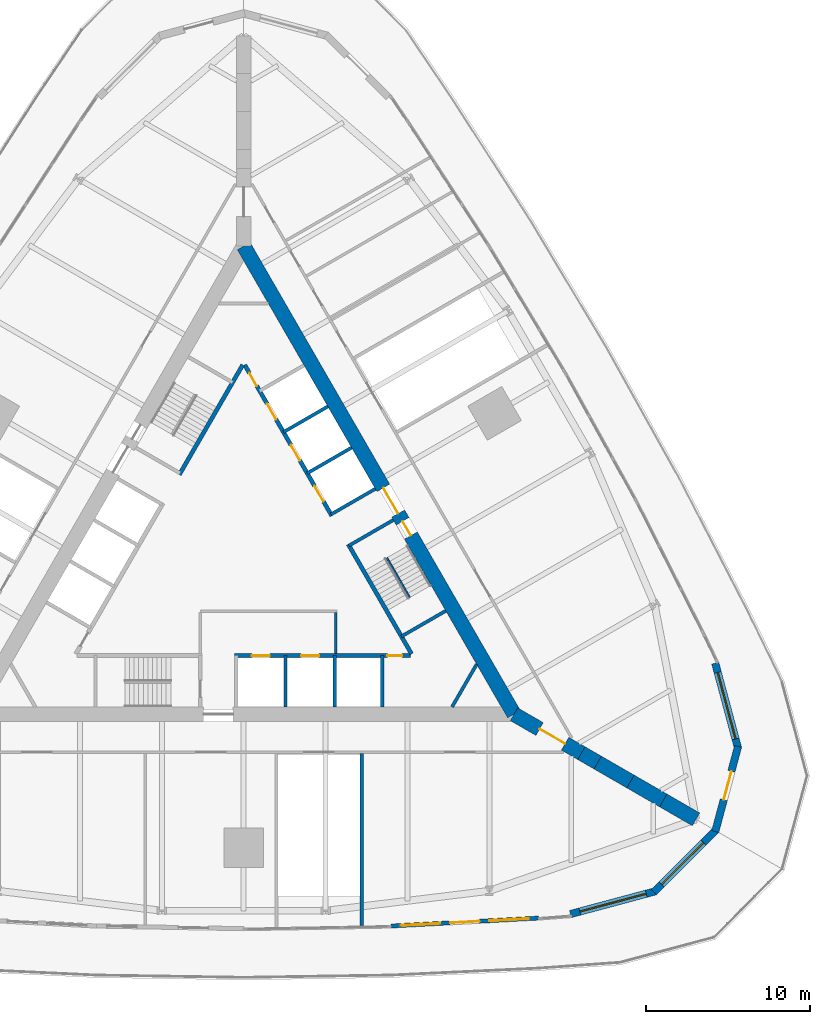
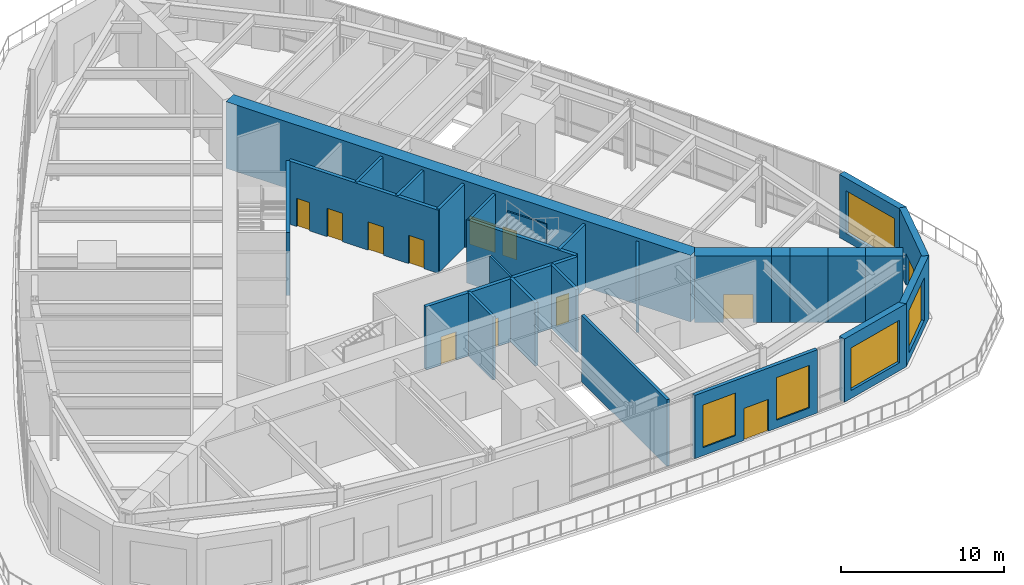
# One storey, part 9 of 13: 27 walls, 12 doors, 5 windows, 17 openings.
"""IFC4 building model written with IfcOpenShell, lengths in metres."""

import ifcopenshell
import ifcopenshell.guid

model = None  # the IFC model being written
_history = None  # IfcOwnerHistory: only IFC2X3 demands one
_inside = {}  # id of a spatial element -> (the spatial element, [elements in it])
_under = {}  # id of a project, library or spatial element -> (it, [spatial elements below it])
_declared = {}  # id of a project -> (the project, [libraries it declares])
_typed = {}  # id of a type object -> (the type object, [elements of that type])
_made_of = {}  # id of a material, layer set ... -> (it, [elements and type objects made of it])


def new_model(schema):
    """Start an empty IFC model of exactly this schema.

    Asked for "IFC4X3", IfcOpenShell would pick the latest addendum, in which some entities
    have other attributes; the version numbers below select the first issue.
    IFC2X3 requires an IfcOwnerHistory on every rooted entity: one is made here for all.
    """
    global model, _history
    if schema == "IFC4X3":
        model = ifcopenshell.file(schema_version=(4, 3, 0, 0))
    else:
        model = ifcopenshell.file(schema=schema)
    _inside.clear()
    _under.clear()
    _declared.clear()
    _typed.clear()
    _made_of.clear()
    _history = None
    if model.schema == "IFC2X3":
        org = make("IfcOrganization", Name="unknown")
        user = make(
            "IfcPersonAndOrganization",
            ThePerson=make("IfcPerson", FamilyName="unknown"),
            TheOrganization=org,
        )
        app = make(
            "IfcApplication",
            ApplicationDeveloper=org,
            Version="unknown",
            ApplicationFullName="unknown",
            ApplicationIdentifier="unknown",
        )
        _history = make(
            "IfcOwnerHistory",
            OwningUser=user,
            OwningApplication=app,
            ChangeAction="ADDED",
            CreationDate=0,
        )
    return model


def make(cls, **values):
    """One entity of the class cls with the attributes given. An attribute that is None is left unset."""
    return model.create_entity(
        cls, **{name: value for name, value in values.items() if value is not None}
    )


def rooted(cls, **values):
    """An entity with a GlobalId (a new one), such as an element, a storey or a relation."""
    return make(cls, GlobalId=ifcopenshell.guid.new(), OwnerHistory=_history, **values)


def si_unit(unit_type, name, prefix=None):
    """IfcSIUnit, for example si_unit("LENGTHUNIT", "METRE", prefix="MILLI")."""
    return make("IfcSIUnit", UnitType=unit_type, Prefix=prefix, Name=name)


def assignment(units):
    """IfcUnitAssignment: the units of a project."""
    return None if units is None else make("IfcUnitAssignment", Units=units)


def point(xyz):
    """IfcCartesianPoint."""
    return None if xyz is None else make("IfcCartesianPoint", Coordinates=xyz)


def direction(xyz):
    """IfcDirection."""
    return None if xyz is None else make("IfcDirection", DirectionRatios=xyz)


def frame(location, z_axis=None, x_axis=None):
    """IfcAxis2Placement3D, a coordinate frame: its origin and axes. An axis left out is left unset."""
    return make(
        "IfcAxis2Placement3D",
        Location=point(location),
        Axis=direction(z_axis),
        RefDirection=direction(x_axis),
    )


def frame_2d(location, x_axis=None):
    """IfcAxis2Placement2D, a coordinate frame in the plane: its origin and x axis."""
    return make(
        "IfcAxis2Placement2D", Location=point(location), RefDirection=direction(x_axis)
    )


def origin():
    """The frame at (0, 0, 0) with its axes left unset."""
    return frame((0.0, 0.0, 0.0))


def place(relative_to, where):
    """IfcLocalPlacement: puts the frame where relative to a parent placement (None: the world)."""
    return make(
        "IfcLocalPlacement", PlacementRelTo=relative_to, RelativePlacement=where
    )


def context(
    kind, dimensions, precision=None, world=None, true_north=None, identifier=None
):
    """IfcGeometricRepresentationContext, for example the 3D "Model" context."""
    return make(
        "IfcGeometricRepresentationContext",
        ContextIdentifier=identifier,
        ContextType=kind,
        CoordinateSpaceDimension=dimensions,
        Precision=precision,
        WorldCoordinateSystem=world,
        TrueNorth=true_north,
    )


def subcontext(parent, identifier, kind, view, scale=None):
    """IfcGeometricRepresentationSubContext, for example "Body" below "Model"."""
    return make(
        "IfcGeometricRepresentationSubContext",
        ContextIdentifier=identifier,
        ContextType=kind,
        ParentContext=parent,
        TargetScale=scale,
        TargetView=view,
    )


def project(units=None, contexts=None):
    """IfcProject with its units and contexts."""
    return rooted(
        "IfcProject",
        Name="project",
        RepresentationContexts=contexts,
        UnitsInContext=assignment(units),
    )


def spatial(cls, under=None, at=None, **own):
    """A site, building, storey or space (cls), placed at a placement, below another one or the project."""
    s = rooted(cls, ObjectPlacement=at, **own)
    if under is not None:
        _under.setdefault(under.id(), (under, []))[1].append(s)
    return s


def profile(cls, at=None, kind="AREA", **sizes):
    """A parametric profile (cls). Its sizes go by their IFC names, for example OverallWidth=200.0."""
    return make(cls, ProfileType=kind, Position=at, **sizes)


def rectangle(**sizes):
    """IfcRectangleProfileDef."""
    return profile("IfcRectangleProfileDef", **sizes)


def extrude(swept, where, along, depth):
    """IfcExtrudedAreaSolid: the profile swept, set in the frame where, extruded along a direction by depth."""
    return make(
        "IfcExtrudedAreaSolid",
        SweptArea=swept,
        Position=where,
        ExtrudedDirection=direction(along),
        Depth=depth,
    )


def shape(context_of_items, identifier, shape_type, items):
    """IfcShapeRepresentation: the items that make up one representation, for example the "Body"."""
    return make(
        "IfcShapeRepresentation",
        ContextOfItems=context_of_items,
        RepresentationIdentifier=identifier,
        RepresentationType=shape_type,
        Items=items,
    )


def material(Name=None, Category=None):
    """IfcMaterial."""
    return make("IfcMaterial", Name=Name, Category=Category)


def layer(
    of_material, thickness, ventilated=None, Name=None, Category=None, Priority=None
):
    """IfcMaterialLayer: one layer of a wall or slab, of a material (None: an air gap)."""
    return make(
        "IfcMaterialLayer",
        Material=of_material,
        LayerThickness=thickness,
        IsVentilated=ventilated,
        Name=Name,
        Category=Category,
        Priority=Priority,
    )


def layer_set(layers, Name=None):
    """IfcMaterialLayerSet."""
    return make("IfcMaterialLayerSet", MaterialLayers=layers, LayerSetName=Name)


def made_of(thing, what):
    """Note that an element or type object is made of a material, layer set ...; save() writes the relation."""
    if what is not None:
        _made_of.setdefault(what.id(), (what, []))[1].append(thing)
    return thing


def type_object(cls, material=None, **own):
    """A type object (cls), such as IfcWallType, which elements share."""
    return made_of(rooted(cls, **own), material)


def element(
    cls,
    number,
    at=None,
    inside=None,
    cuts=None,
    type_object=None,
    material=None,
    context=None,
    identifier="Body",
    shape_type=None,
    held_by="IfcProductDefinitionShape",
    body=None,
    shapes=None,
    **own,
):
    """One element of the class cls, such as IfcWall. Its Tag is "e" and its number.

    at: its placement. inside: the storey or other place that contains it. cuts: it is an
    opening in that element (IfcRelVoidsElement). A single representation is given by context,
    identifier, shape_type and body (its items); several are given by shapes. held_by: the class
    of the entity that holds the representations. save() writes the other relations.
    """
    e = rooted(cls, Tag="e%d" % number, ObjectPlacement=at, **own)
    if body is not None:
        shapes = [shape(context, identifier, shape_type, body)]
    if shapes is not None:
        e.Representation = make(held_by, Representations=shapes)
    if inside is not None:
        _inside.setdefault(inside.id(), (inside, []))[1].append(e)
    if cuts is not None:
        rooted(
            "IfcRelVoidsElement", RelatingBuildingElement=cuts, RelatedOpeningElement=e
        )
    if type_object is not None:
        _typed.setdefault(type_object.id(), (type_object, []))[1].append(e)
    return made_of(e, material)


def fill(opening, filler):
    """IfcRelFillsElement: the door or window that sits in an opening."""
    return rooted(
        "IfcRelFillsElement",
        RelatingOpeningElement=opening,
        RelatedBuildingElement=filler,
    )


def aggregate(whole, parts):
    """IfcRelAggregates: a whole, such as a stair, and the parts it consists of."""
    return rooted("IfcRelAggregates", RelatingObject=whole, RelatedObjects=parts)


def save(model, path):
    """Write the relations noted so far, then the file.

    IfcRelAggregates (storeys below a building ...), IfcRelContainedInSpatialStructure (elements
    in a storey), IfcRelDefinesByType, IfcRelAssociatesMaterial and IfcRelDeclares: one each for
    every whole, place, type object, material and project.
    """
    for whole, parts in _under.values():
        aggregate(whole, parts)
    for where, things in _inside.values():
        rooted(
            "IfcRelContainedInSpatialStructure",
            RelatedElements=things,
            RelatingStructure=where,
        )
    for kind, things in _typed.values():
        rooted("IfcRelDefinesByType", RelatedObjects=things, RelatingType=kind)
    for what, things in _made_of.values():
        rooted("IfcRelAssociatesMaterial", RelatedObjects=things, RelatingMaterial=what)
    for by, libraries in _declared.values():
        rooted("IfcRelDeclares", RelatingContext=by, RelatedDefinitions=libraries)
    model.write(path)


model = new_model("IFC4")

# Units and contexts
model_context = context("Model", 3, precision=1e-05, world=origin(), true_north=direction((0.0, 1.0)))
body_context = subcontext(model_context, "Body", "Model", "MODEL_VIEW")
ifc_project = project(units=[si_unit("LENGTHUNIT", "METRE"), si_unit("AREAUNIT", "SQUARE_METRE"), si_unit("VOLUMEUNIT", "CUBIC_METRE"), si_unit("PLANEANGLEUNIT", "RADIAN"), si_unit("MASSUNIT", "GRAM", prefix="KILO")], contexts=[model_context])

# Site, building, storey
site_placement = place(None, origin())
site = spatial("IfcSite", under=ifc_project, at=site_placement, CompositionType="ELEMENT")
building_placement = place(site_placement, origin())
building = spatial("IfcBuilding", under=site, at=building_placement, Name="Trikona Tower", CompositionType="ELEMENT")
storey_placement = place(building_placement, frame((0.0, 0.0, 17.5)))
storey = spatial("IfcBuildingStorey", under=building, at=storey_placement, Name="L03", CompositionType="ELEMENT", Elevation=17.5)

# Wall, opening, window
ifc_material_1 = material(Name="Brick-faced precast concrete", Category="masonry")
ifc_layer_1 = layer(ifc_material_1, 0.449951171875)
ifc_layer_set_1 = layer_set([ifc_layer_1], Name="Brick-faced corner wall 450")
wall_type_1 = type_object("IfcWallType", Name="Brick-faced corner wall 450", PredefinedType="SOLIDWALL", material=ifc_layer_set_1)
wall_1_placement = place(storey_placement, frame((19.94189453125, -21.721923828125, 0.0), z_axis=(0.0, 0.0, 1.0), x_axis=(0.965923133363, 0.258829095032, 0.0)))
wall_1 = element("IfcWall", 1, at=wall_1_placement, inside=storey, type_object=wall_type_1, Name="External wall L03-06", PredefinedType="SOLIDWALL", context=body_context, shape_type="SweptSolid", body=[
    extrude(rectangle(XDim=5.37939453125, YDim=0.449951171875, at=frame_2d((2.689697265625, 0.0))), origin(), (0.0, 0.0, 1.0), 4.75),
])
opening_1_placement = place(wall_1_placement, frame((0.589599609375, 0.0, 0.60009765625)))
opening_1 = element("IfcOpeningElement", 2, at=opening_1_placement, cuts=wall_1, Name="Opening W4232", PredefinedType="OPENING", context=body_context, shape_type="SweptSolid", body=[
    extrude(rectangle(XDim=4.199951171875, YDim=3.199951171875, at=frame_2d((2.10009765625, 1.60009765625))), frame((0.0, 0.23486328125, 0.0), z_axis=(0.0, -1.0, 0.0), x_axis=(1.0, 0.0, 0.0)), (0.0, 0.0, 1.0), 0.469970703125),
])
ifc_material_2 = material(Name="Aluminium-framed double glazing", Category="aluminium")
window_type_1 = type_object("IfcWindowType", Name="Window 4200x3200", PartitioningType="SINGLE_PANEL", PredefinedType="WINDOW", material=ifc_material_2)
window_1_placement = place(opening_1_placement, origin())
window_1 = element("IfcWindow", 3, at=window_1_placement, inside=storey, type_object=window_type_1, Name="Window L03-MR3", OverallHeight=3.199951171875, OverallWidth=4.199951171875, PartitioningType="SINGLE_PANEL", PredefinedType="WINDOW", context=body_context, shape_type="SweptSolid", body=[
    extrude(rectangle(XDim=4.199951171875, YDim=3.199951171875, at=frame_2d((2.10009765625, 1.60009765625))), frame((0.0, 0.030029296875, 0.0), z_axis=(0.0, -1.0, 0.0), x_axis=(1.0, 0.0, 0.0)), (0.0, 0.0, 1.0), 0.06005859375),
])
fill(opening_1, window_1)

wall_2_placement = place(storey_placement, frame((25.037109375, -20.387939453125, 0.0), z_axis=(0.0, 0.0, 1.0), x_axis=(0.707084088779, 0.707129472866, 0.0)))
wall_2 = element("IfcWall", 4, at=wall_2_placement, inside=storey, type_object=wall_type_1, Name="External wall L03-07", PredefinedType="SOLIDWALL", context=body_context, shape_type="SweptSolid", body=[
    extrude(rectangle(XDim=5.37939453125, YDim=0.449951171875, at=frame_2d((2.689697265625, 0.0))), origin(), (0.0, 0.0, 1.0), 4.75),
])
opening_2_placement = place(wall_2_placement, frame((0.67138671875, 0.0, 0.60009765625)))
opening_2 = element("IfcOpeningElement", 5, at=opening_2_placement, cuts=wall_2, Name="Opening W3632", PredefinedType="OPENING", context=body_context, shape_type="SweptSolid", body=[
    extrude(rectangle(XDim=3.60009765625, YDim=3.199951171875, at=frame_2d((1.800048828125, 1.60009765625))), frame((0.0, 0.23486328125, 0.0), z_axis=(0.0, -1.0, 0.0), x_axis=(1.0, 0.0, 0.0)), (0.0, 0.0, 1.0), 0.469970703125),
])
ifc_material_3 = material(Name="Aluminium-framed double glazing", Category="aluminium")
window_type_2 = type_object("IfcWindowType", Name="Window 3600x3200", PartitioningType="SINGLE_PANEL", PredefinedType="WINDOW", material=ifc_material_3)
window_2_placement = place(opening_2_placement, origin())
window_2 = element("IfcWindow", 6, at=window_2_placement, inside=storey, type_object=window_type_2, Name="Window L03-MR3", OverallHeight=3.199951171875, OverallWidth=3.60009765625, PartitioningType="SINGLE_PANEL", PredefinedType="WINDOW", context=body_context, shape_type="SweptSolid", body=[
    extrude(rectangle(XDim=3.60009765625, YDim=3.199951171875, at=frame_2d((1.800048828125, 1.60009765625))), frame((0.0, 0.030029296875, 0.0), z_axis=(0.0, -1.0, 0.0), x_axis=(1.0, 0.0, 0.0)), (0.0, 0.0, 1.0), 0.06005859375),
])
fill(opening_2, window_2)

# Wall, opening, door
wall_3_placement = place(storey_placement, frame((28.78271484375, -16.68505859375, 0.0), z_axis=(0.0, 0.0, 1.0), x_axis=(0.258817748921, 0.965926173599, 0.0)))
wall_3 = element("IfcWall", 7, at=wall_3_placement, inside=storey, type_object=wall_type_1, Name="External wall L03-08", PredefinedType="SOLIDWALL", context=body_context, shape_type="SweptSolid", body=[
    extrude(rectangle(XDim=5.379638671875, YDim=0.449951171875, at=frame_2d((2.68994140625, 0.0))), origin(), (0.0, 0.0, 1.0), 4.75),
])
opening_3_placement = place(wall_3_placement, frame((2.008056640625, 0.0, 0.0)))
opening_3 = element("IfcOpeningElement", 8, at=opening_3_placement, cuts=wall_3, Name="Opening D8", PredefinedType="OPENING", context=body_context, shape_type="SweptSolid", body=[
    extrude(rectangle(XDim=1.800048828125, YDim=2.39990234375, at=frame_2d((0.89990234375, 1.199951171875))), frame((0.0, 0.23486328125, 0.0), z_axis=(0.0, -1.0, 0.0), x_axis=(1.0, 0.0, 0.0)), (0.0, 0.0, 1.0), 0.469970703125),
])
ifc_material_4 = material(Name="Aluminium-framed glazed door", Category="aluminium")
door_type_1 = type_object("IfcDoorType", Name="Terrace door pair 1800x2400", OperationType="DOUBLE_DOOR_SINGLE_SWING", PredefinedType="DOOR", material=ifc_material_4)
door_1_placement = place(opening_3_placement, origin())
door_1 = element("IfcDoor", 9, at=door_1_placement, inside=storey, type_object=door_type_1, Name="Terrace door Fitness centre", OperationType="DOUBLE_DOOR_SINGLE_SWING", OverallHeight=2.39990234375, OverallWidth=1.800048828125, PredefinedType="DOOR", context=body_context, shape_type="SweptSolid", body=[
    extrude(rectangle(XDim=1.800048828125, YDim=2.39990234375, at=frame_2d((0.89990234375, 1.199951171875))), frame((0.0, 0.02490234375, 0.0), z_axis=(0.0, -1.0, 0.0), x_axis=(1.0, 0.0, 0.0)), (0.0, 0.0, 1.0), 0.050048828125),
])
fill(opening_3, door_1)

# Wall, opening, window
wall_4_placement = place(storey_placement, frame((30.175048828125, -11.605224609375, 0.0), z_axis=(0.0, 0.0, 1.0), x_axis=(-0.258829095032, 0.965923133363, 0.0)))
wall_4 = element("IfcWall", 10, at=wall_4_placement, inside=storey, type_object=wall_type_1, Name="External wall L03-09", PredefinedType="SOLIDWALL", context=body_context, shape_type="SweptSolid", body=[
    extrude(rectangle(XDim=5.37939453125, YDim=0.449951171875, at=frame_2d((2.689697265625, 0.0))), origin(), (0.0, 0.0, 1.0), 4.75),
])
opening_4_placement = place(wall_4_placement, frame((0.589599609375, 0.0, 0.60009765625)))
opening_4 = element("IfcOpeningElement", 11, at=opening_4_placement, cuts=wall_4, Name="Opening W4232", PredefinedType="OPENING", context=body_context, shape_type="SweptSolid", body=[
    extrude(rectangle(XDim=4.199951171875, YDim=3.199951171875, at=frame_2d((2.10009765625, 1.60009765625))), frame((0.0, 0.23486328125, 0.0), z_axis=(0.0, -1.0, 0.0), x_axis=(1.0, 0.0, 0.0)), (0.0, 0.0, 1.0), 0.469970703125),
])
window_3_placement = place(opening_4_placement, origin())
window_3 = element("IfcWindow", 12, at=window_3_placement, inside=storey, type_object=window_type_1, Name="Window L03-FIT", OverallHeight=3.199951171875, OverallWidth=4.199951171875, PartitioningType="SINGLE_PANEL", PredefinedType="WINDOW", context=body_context, shape_type="SweptSolid", body=[
    extrude(rectangle(XDim=4.199951171875, YDim=3.199951171875, at=frame_2d((2.10009765625, 1.60009765625))), frame((0.0, 0.030029296875, 0.0), z_axis=(0.0, -1.0, 0.0), x_axis=(1.0, 0.0, 0.0)), (0.0, 0.0, 1.0), 0.06005859375),
])
fill(opening_4, window_3)

# Wall, opening, door
ifc_material_5 = material(Name="Concrete f'c 10000 psi", Category="concrete")
ifc_layer_2 = layer(ifc_material_5, 0.89990234375)
ifc_layer_set_2 = layer_set([ifc_layer_2], Name="Buttress wall 900")
wall_type_2 = type_object("IfcWallType", Name="Buttress wall 900", PredefinedType="SHEAR", material=ifc_layer_set_2)
wall_5_placement = place(storey_placement, frame((16.5, -9.5263671875, 0.0), z_axis=(0.0, 0.0, 1.0), x_axis=(0.866031398331, -0.499989616998, 0.0)))
wall_5 = element("IfcWall", 13, at=wall_5_placement, inside=storey, type_object=wall_type_2, Name="Buttress wall 1", PredefinedType="SHEAR", context=body_context, shape_type="SweptSolid", body=[
    extrude(rectangle(XDim=4.74609375, YDim=0.89990234375, at=frame_2d((2.373046875, 0.0))), origin(), (0.0, 0.0, 1.0), 5.0),
])
opening_5_placement = place(wall_5_placement, frame((1.800048828125, 0.0, 0.0)))
opening_5 = element("IfcOpeningElement", 14, at=opening_5_placement, cuts=wall_5, Name="Opening D10", PredefinedType="OPENING", context=body_context, shape_type="SweptSolid", body=[
    extrude(rectangle(XDim=1.800048828125, YDim=2.1298828125, at=frame_2d((0.89990234375, 1.06494140625))), frame((0.0, 0.4599609375, 0.0), z_axis=(0.0, -1.0, 0.0), x_axis=(1.0, 0.0, 0.0)), (0.0, 0.0, 1.0), 0.919921875),
])
ifc_material_6 = material(Name="Hollow metal door and frame", Category="steel")
door_type_2 = type_object("IfcDoorType", Name="Cross-corridor door pair 1800x2130", OperationType="DOUBLE_DOOR_DOUBLE_SWING", PredefinedType="DOOR", material=ifc_material_6)
door_2_placement = place(opening_5_placement, origin())
door_2 = element("IfcDoor", 15, at=door_2_placement, inside=storey, type_object=door_type_2, Name="Cross-corridor door 1", OperationType="DOUBLE_DOOR_DOUBLE_SWING", OverallHeight=2.1298828125, OverallWidth=1.800048828125, PredefinedType="DOOR", context=body_context, shape_type="SweptSolid", body=[
    extrude(rectangle(XDim=1.800048828125, YDim=2.1298828125, at=frame_2d((0.89990234375, 1.06494140625))), frame((0.0, 0.02490234375, 0.0), z_axis=(0.0, -1.0, 0.0), x_axis=(1.0, 0.0, 0.0)), (0.0, 0.0, 1.0), 0.050048828125),
])
fill(opening_5, door_2)

# Walls
wall_6_placement = place(storey_placement, frame((20.6103515625, -11.8994140625, 0.0), z_axis=(0.0, 0.0, 1.0), x_axis=(0.866009537788, -0.500027479704, 0.0)))
element("IfcWall", 16, at=wall_6_placement, inside=storey, type_object=wall_type_2, Name="Buttress wall 1 part 2", PredefinedType="SHEAR", context=body_context, shape_type="SweptSolid", body=[
    extrude(rectangle(XDim=1.15478515625, YDim=0.89990234375, at=frame_2d((0.577392578125, 0.0))), origin(), (0.0, 0.0, 1.0), 5.0),
])
for number, where, z_axis, x_axis, name in (
    (17, (21.6103515625, -12.476806640625, 0.0), (0.0, 0.0, 1.0), (0.866055313784, -0.499948190782, 0.0), "Buttress wall 1 part 3"),
    (18, (23.6103515625, -13.63134765625, 0.0), (0.0, 0.0, 1.0), (0.866009537788, -0.500027479704, 0.0), "Buttress wall 1 part 4"),
    (19, (25.6103515625, -14.7861328125, 0.0), (0.0, 0.0, 1.0), (0.866009537788, -0.500027479704, 0.0), "Buttress wall 1 part 5"),
):
    element("IfcWall", number, at=place(storey_placement, frame(where, z_axis=z_axis, x_axis=x_axis)), inside=storey, type_object=wall_type_2, Name=name, PredefinedType="SHEAR", context=body_context, shape_type="SweptSolid", body=[
        extrude(rectangle(XDim=2.309326171875, YDim=0.89990234375, at=frame_2d((1.15478515625, 0.0))), origin(), (0.0, 0.0, 1.0), 5.0),
    ])

# Wall, openings, doors
ifc_material_7 = material(Name="Concrete f'c 10000 psi", Category="concrete")
ifc_layer_3 = layer(ifc_material_7, 0.89990234375)
ifc_layer_set_3 = layer_set([ifc_layer_3], Name="Core wall 900")
wall_type_3 = type_object("IfcWallType", Name="Core wall 900", PredefinedType="SHEAR", material=ifc_layer_set_3)
wall_7_placement = place(storey_placement, frame((16.5, -9.5263671875, 0.0), z_axis=(0.0, 0.0, 1.0), x_axis=(-0.499999749417, 0.866025548458, 0.0)))
wall_7 = element("IfcWall", 20, at=wall_7_placement, inside=storey, type_object=wall_type_3, Name="Core wall B", PredefinedType="SHEAR", context=body_context, shape_type="SweptSolid", body=[
    extrude(rectangle(XDim=33.0, YDim=0.89990234375, at=frame_2d((16.5, 0.0))), origin(), (0.0, 0.0, 1.0), 5.0),
])
opening_6_placement = place(wall_7_placement, frame((14.14990234375, 0.0, 0.0)))
opening_6 = element("IfcOpeningElement", 21, at=opening_6_placement, cuts=wall_7, Name="Opening D6", PredefinedType="OPENING", context=body_context, shape_type="SweptSolid", body=[
    extrude(rectangle(XDim=1.800048828125, YDim=2.1298828125, at=frame_2d((0.89990234375, 1.06494140625))), frame((0.0, 0.4599609375, 0.0), z_axis=(0.0, -1.0, 0.0), x_axis=(1.0, 0.0, 0.0)), (0.0, 0.0, 1.0), 0.919921875),
])
opening_7_placement = place(wall_7_placement, frame((12.60009765625, 0.0, 0.0)))
opening_7 = element("IfcOpeningElement", 22, at=opening_7_placement, cuts=wall_7, Name="Opening D5", PredefinedType="OPENING", context=body_context, shape_type="SweptSolid", body=[
    extrude(rectangle(XDim=1.0, YDim=2.1298828125, at=frame_2d((0.5, 1.06494140625))), frame((0.0, 0.4599609375, 0.0), z_axis=(0.0, -1.0, 0.0), x_axis=(1.0, 0.0, 0.0)), (0.0, 0.0, 1.0), 0.919921875),
])
ifc_material_8 = material(Name="Hollow metal door and frame", Category="steel")
door_type_3 = type_object("IfcDoorType", Name="Lobby door pair 1800x2130", OperationType="DOUBLE_DOOR_SINGLE_SWING", PredefinedType="DOOR", material=ifc_material_8)
door_3_placement = place(opening_6_placement, origin())
door_3 = element("IfcDoor", 23, at=door_3_placement, inside=storey, type_object=door_type_3, Name="Lift lobby door B", OperationType="DOUBLE_DOOR_SINGLE_SWING", OverallHeight=2.1298828125, OverallWidth=1.800048828125, PredefinedType="DOOR", context=body_context, shape_type="SweptSolid", body=[
    extrude(rectangle(XDim=1.800048828125, YDim=2.1298828125, at=frame_2d((0.89990234375, 1.06494140625))), frame((0.0, 0.02490234375, 0.0), z_axis=(0.0, -1.0, 0.0), x_axis=(1.0, 0.0, 0.0)), (0.0, 0.0, 1.0), 0.050048828125),
])
fill(opening_6, door_3)
ifc_material_9 = material(Name="Hollow metal door and frame", Category="steel")
door_type_4 = type_object("IfcDoorType", Name="Stair door 1000x2130", OperationType="SINGLE_SWING_LEFT", PredefinedType="DOOR", material=ifc_material_9)
door_4_placement = place(opening_7_placement, origin())
door_4 = element("IfcDoor", 24, at=door_4_placement, inside=storey, type_object=door_type_4, Name="Stair B door", OperationType="SINGLE_SWING_RIGHT", OverallHeight=2.1298828125, OverallWidth=1.0, PredefinedType="DOOR", context=body_context, shape_type="SweptSolid", body=[
    extrude(rectangle(XDim=1.0, YDim=2.1298828125, at=frame_2d((0.5, 1.06494140625))), frame((0.0, 0.02490234375, 0.0), z_axis=(0.0, -1.0, 0.0), x_axis=(1.0, 0.0, 0.0)), (0.0, 0.0, 1.0), 0.050048828125),
])
fill(opening_7, door_4)

ifc_material_10 = material(Name="Concrete f'c 8000 psi", Category="concrete")
ifc_layer_4 = layer(ifc_material_10, 0.25)
ifc_layer_set_4 = layer_set([ifc_layer_4], Name="Hub wall 250")
wall_type_4 = type_object("IfcWallType", Name="Hub wall 250", PredefinedType="SOLIDWALL", material=ifc_layer_set_4)
wall_8_placement = place(storey_placement, frame((-0.550048828125, -5.951416015625, 0.0), z_axis=(0.0, 0.0, 1.0), x_axis=(1.0, 0.0, 0.0)))
wall_8 = element("IfcWall", 25, at=wall_8_placement, inside=storey, type_object=wall_type_4, Name="Lift lobby wall A2", PredefinedType="SOLIDWALL", context=body_context, shape_type="SweptSolid", body=[
    extrude(rectangle(XDim=10.73291015625, YDim=0.25, at=frame_2d((5.366455078125, 0.0))), origin(), (0.0, 0.0, 1.0), 4.75),
])
opening_8_placement = place(wall_8_placement, frame((9.31396484375, 0.0, 0.0)))
opening_8 = element("IfcOpeningElement", 26, at=opening_8_placement, cuts=wall_8, Name="Opening D14", PredefinedType="OPENING", context=body_context, shape_type="SweptSolid", body=[
    extrude(rectangle(XDim=0.89990234375, YDim=2.1298828125, at=frame_2d((0.449951171875, 1.06494140625))), frame((0.0, 0.135009765625, 0.0), z_axis=(0.0, -1.0, 0.0), x_axis=(1.0, 0.0, 0.0)), (0.0, 0.0, 1.0), 0.27001953125),
])
opening_9_placement = place(wall_8_placement, frame((1.050048828125, 0.0, 0.0)))
opening_9 = element("IfcOpeningElement", 27, at=opening_9_placement, cuts=wall_8, Name="Opening LD", PredefinedType="OPENING", context=body_context, shape_type="SweptSolid", body=[
    extrude(rectangle(XDim=1.10009765625, YDim=2.1298828125, at=frame_2d((0.550048828125, 1.06494140625))), frame((0.0, 0.135009765625, 0.0), z_axis=(0.0, -1.0, 0.0), x_axis=(1.0, 0.0, 0.0)), (0.0, 0.0, 1.0), 0.27001953125),
])
opening_10_placement = place(wall_8_placement, frame((4.050048828125, 0.0, 0.0)))
opening_10 = element("IfcOpeningElement", 28, at=opening_10_placement, cuts=wall_8, Name="Opening LD", PredefinedType="OPENING", context=body_context, shape_type="SweptSolid", body=[
    extrude(rectangle(XDim=1.10009765625, YDim=2.1298828125, at=frame_2d((0.550048828125, 1.06494140625))), frame((0.0, 0.135009765625, 0.0), z_axis=(0.0, -1.0, 0.0), x_axis=(1.0, 0.0, 0.0)), (0.0, 0.0, 1.0), 0.27001953125),
])
ifc_material_11 = material(Name="Stainless steel lift landing door", Category="steel")
door_type_5 = type_object("IfcDoorType", Name="Lift landing door 1100x2130", OperationType="DOUBLE_DOOR_SLIDING", PredefinedType="USERDEFINED", material=ifc_material_11)
door_5_placement = place(opening_9_placement, origin())
door_5 = element("IfcDoor", 29, at=door_5_placement, inside=storey, type_object=door_type_5, Name="Lift landing door FF1", ObjectType="LIFT LANDING DOOR", OperationType="DOUBLE_DOOR_SLIDING", OverallHeight=2.1298828125, OverallWidth=1.10009765625, PredefinedType="USERDEFINED", context=body_context, shape_type="SweptSolid", body=[
    extrude(rectangle(XDim=1.10009765625, YDim=2.1298828125, at=frame_2d((0.550048828125, 1.06494140625))), frame((0.0, 0.02490234375, 0.0), z_axis=(0.0, -1.0, 0.0), x_axis=(1.0, 0.0, 0.0)), (0.0, 0.0, 1.0), 0.050048828125),
])
fill(opening_9, door_5)
door_6_placement = place(opening_10_placement, origin())
door_6 = element("IfcDoor", 30, at=door_6_placement, inside=storey, type_object=door_type_5, Name="Lift landing door FF2", ObjectType="LIFT LANDING DOOR", OperationType="DOUBLE_DOOR_SLIDING", OverallHeight=2.1298828125, OverallWidth=1.10009765625, PredefinedType="USERDEFINED", context=body_context, shape_type="SweptSolid", body=[
    extrude(rectangle(XDim=1.10009765625, YDim=2.1298828125, at=frame_2d((0.550048828125, 1.06494140625))), frame((0.0, 0.02490234375, 0.0), z_axis=(0.0, -1.0, 0.0), x_axis=(1.0, 0.0, 0.0)), (0.0, 0.0, 1.0), 0.050048828125),
])
fill(opening_10, door_6)
ifc_material_12 = material(Name="Hollow metal door and frame", Category="steel")
door_type_6 = type_object("IfcDoorType", Name="Service room door 900x2130", OperationType="SINGLE_SWING_LEFT", PredefinedType="DOOR", material=ifc_material_12)
door_7_placement = place(opening_8_placement, origin())
door_7 = element("IfcDoor", 31, at=door_7_placement, inside=storey, type_object=door_type_6, Name="Door Cleaner's store CLN", OperationType="SINGLE_SWING_RIGHT", OverallHeight=2.1298828125, OverallWidth=0.89990234375, PredefinedType="DOOR", context=body_context, shape_type="SweptSolid", body=[
    extrude(rectangle(XDim=0.89990234375, YDim=2.1298828125, at=frame_2d((0.449951171875, 1.06494140625))), frame((0.0, 0.02490234375, 0.0), z_axis=(0.0, -1.0, 0.0), x_axis=(1.0, 0.0, 0.0)), (0.0, 0.0, 1.0), 0.050048828125),
])
fill(opening_8, door_7)

# Wall
wall_9_placement = place(storey_placement, frame((10.245361328125, -5.843017578125, 0.0), z_axis=(0.0, 0.0, 1.0), x_axis=(-0.499993009313, 0.866029439822, 0.0)))
element("IfcWall", 32, at=wall_9_placement, inside=storey, type_object=wall_type_4, Name="Lift lobby wall B1", PredefinedType="SOLIDWALL", context=body_context, shape_type="SweptSolid", body=[
    extrude(rectangle(XDim=7.73291015625, YDim=0.25, at=frame_2d((3.866455078125, 0.0))), origin(), (0.0, 0.0, 1.0), 4.75),
])

# Wall, openings, doors
wall_10_placement = place(storey_placement, frame((5.37890625, 2.5859375, 0.0), z_axis=(0.0, 0.0, 1.0), x_axis=(-0.500001375892, 0.866024609411, 0.0)))
wall_10 = element("IfcWall", 33, at=wall_10_placement, inside=storey, type_object=wall_type_4, Name="Lift lobby wall B2", PredefinedType="SOLIDWALL", context=body_context, shape_type="SweptSolid", body=[
    extrude(rectangle(XDim=10.6328125, YDim=0.25, at=frame_2d((5.31640625, 0.0))), origin(), (0.0, 0.0, 1.0), 4.75),
])
opening_11_placement = place(wall_10_placement, frame((9.1640625, 0.0, 0.0)))
opening_11 = element("IfcOpeningElement", 34, at=opening_11_placement, cuts=wall_10, Name="Opening D14", PredefinedType="OPENING", context=body_context, shape_type="SweptSolid", body=[
    extrude(rectangle(XDim=0.89990234375, YDim=2.1298828125, at=frame_2d((0.449951171875, 1.06494140625))), frame((0.0, 0.135009765625, 0.0), z_axis=(0.0, -1.0, 0.0), x_axis=(1.0, 0.0, 0.0)), (0.0, 0.0, 1.0), 0.27001953125),
])
opening_12_placement = place(wall_10_placement, frame((1.0, 0.0, 0.0)))
opening_12 = element("IfcOpeningElement", 35, at=opening_12_placement, cuts=wall_10, Name="Opening LD", PredefinedType="OPENING", context=body_context, shape_type="SweptSolid", body=[
    extrude(rectangle(XDim=1.10009765625, YDim=2.1298828125, at=frame_2d((0.550048828125, 1.06494140625))), frame((0.0, 0.135009765625, 0.0), z_axis=(0.0, -1.0, 0.0), x_axis=(1.0, 0.0, 0.0)), (0.0, 0.0, 1.0), 0.27001953125),
])
opening_13_placement = place(wall_10_placement, frame((3.89990234375, 0.0, 0.0)))
opening_13 = element("IfcOpeningElement", 36, at=opening_13_placement, cuts=wall_10, Name="Opening LD", PredefinedType="OPENING", context=body_context, shape_type="SweptSolid", body=[
    extrude(rectangle(XDim=1.10009765625, YDim=2.1298828125, at=frame_2d((0.550048828125, 1.06494140625))), frame((0.0, 0.135009765625, 0.0), z_axis=(0.0, -1.0, 0.0), x_axis=(1.0, 0.0, 0.0)), (0.0, 0.0, 1.0), 0.27001953125),
])
opening_14_placement = place(wall_10_placement, frame((6.800048828125, 0.0, 0.0)))
opening_14 = element("IfcOpeningElement", 37, at=opening_14_placement, cuts=wall_10, Name="Opening LD", PredefinedType="OPENING", context=body_context, shape_type="SweptSolid", body=[
    extrude(rectangle(XDim=1.10009765625, YDim=2.1298828125, at=frame_2d((0.550048828125, 1.06494140625))), frame((0.0, 0.135009765625, 0.0), z_axis=(0.0, -1.0, 0.0), x_axis=(1.0, 0.0, 0.0)), (0.0, 0.0, 1.0), 0.27001953125),
])
door_8_placement = place(opening_12_placement, origin())
door_8 = element("IfcDoor", 38, at=door_8_placement, inside=storey, type_object=door_type_5, Name="Lift landing door L1-1", ObjectType="LIFT LANDING DOOR", OperationType="DOUBLE_DOOR_SLIDING", OverallHeight=2.1298828125, OverallWidth=1.10009765625, PredefinedType="USERDEFINED", context=body_context, shape_type="SweptSolid", body=[
    extrude(rectangle(XDim=1.10009765625, YDim=2.1298828125, at=frame_2d((0.550048828125, 1.06494140625))), frame((0.0, 0.02490234375, 0.0), z_axis=(0.0, -1.0, 0.0), x_axis=(1.0, 0.0, 0.0)), (0.0, 0.0, 1.0), 0.050048828125),
])
fill(opening_12, door_8)
door_9_placement = place(opening_13_placement, origin())
door_9 = element("IfcDoor", 39, at=door_9_placement, inside=storey, type_object=door_type_5, Name="Lift landing door L1-2", ObjectType="LIFT LANDING DOOR", OperationType="DOUBLE_DOOR_SLIDING", OverallHeight=2.1298828125, OverallWidth=1.10009765625, PredefinedType="USERDEFINED", context=body_context, shape_type="SweptSolid", body=[
    extrude(rectangle(XDim=1.10009765625, YDim=2.1298828125, at=frame_2d((0.550048828125, 1.06494140625))), frame((0.0, 0.02490234375, 0.0), z_axis=(0.0, -1.0, 0.0), x_axis=(1.0, 0.0, 0.0)), (0.0, 0.0, 1.0), 0.050048828125),
])
fill(opening_13, door_9)
door_10_placement = place(opening_14_placement, origin())
door_10 = element("IfcDoor", 40, at=door_10_placement, inside=storey, type_object=door_type_5, Name="Lift landing door L1-3", ObjectType="LIFT LANDING DOOR", OperationType="DOUBLE_DOOR_SLIDING", OverallHeight=2.1298828125, OverallWidth=1.10009765625, PredefinedType="USERDEFINED", context=body_context, shape_type="SweptSolid", body=[
    extrude(rectangle(XDim=1.10009765625, YDim=2.1298828125, at=frame_2d((0.550048828125, 1.06494140625))), frame((0.0, 0.02490234375, 0.0), z_axis=(0.0, -1.0, 0.0), x_axis=(1.0, 0.0, 0.0)), (0.0, 0.0, 1.0), 0.050048828125),
])
fill(opening_14, door_10)
door_11_placement = place(opening_11_placement, origin())
door_11 = element("IfcDoor", 41, at=door_11_placement, inside=storey, type_object=door_type_6, Name="Door Electrical room ELR", OperationType="SINGLE_SWING_RIGHT", OverallHeight=2.1298828125, OverallWidth=0.89990234375, PredefinedType="DOOR", context=body_context, shape_type="SweptSolid", body=[
    extrude(rectangle(XDim=0.89990234375, YDim=2.1298828125, at=frame_2d((0.449951171875, 1.06494140625))), frame((0.0, 0.02490234375, 0.0), z_axis=(0.0, -1.0, 0.0), x_axis=(1.0, 0.0, 0.0)), (0.0, 0.0, 1.0), 0.050048828125),
])
fill(opening_11, door_11)

# Wall
wall_11_placement = place(storey_placement, frame((-0.0625, 11.794189453125, 0.0), z_axis=(0.0, 0.0, 1.0), x_axis=(-0.500006680225, -0.86602154692, 0.0)))
element("IfcWall", 42, at=wall_11_placement, inside=storey, type_object=wall_type_4, Name="Lift lobby wall C1", PredefinedType="SOLIDWALL", context=body_context, shape_type="SweptSolid", body=[
    extrude(rectangle(XDim=7.73291015625, YDim=0.25, at=frame_2d((3.866455078125, 0.0))), origin(), (0.0, 0.0, 1.0), 4.75),
])

# Wall, openings, door, windows
ifc_material_13 = material(Name="Insulated precast concrete spandrel panel", Category="concrete")
ifc_layer_5 = layer(ifc_material_13, 0.25)
ifc_layer_set_5 = layer_set([ifc_layer_5], Name="Inner skin wall 250")
wall_type_5 = type_object("IfcWallType", Name="Inner skin wall 250", PredefinedType="STANDARD", material=ifc_layer_set_5)
wall_12_placement = place(storey_placement, frame((8.993408203125, -22.452392578125, 0.0), z_axis=(0.0, 0.0, 1.0), x_axis=(0.998546137511, 0.053903722158, 0.0)))
wall_12 = element("IfcWall", 43, at=wall_12_placement, inside=storey, type_object=wall_type_5, Name="External wall L03-04", PredefinedType="STANDARD", context=body_context, shape_type="SweptSolid", body=[
    extrude(rectangle(XDim=9.01318359375, YDim=0.25, at=frame_2d((4.506591796875, 0.0))), origin(), (0.0, 0.0, 1.0), 4.75),
])
opening_15_placement = place(wall_12_placement, frame((3.606689453125, 0.0, 0.0)))
opening_15 = element("IfcOpeningElement", 44, at=opening_15_placement, cuts=wall_12, Name="Opening D8", PredefinedType="OPENING", context=body_context, shape_type="SweptSolid", body=[
    extrude(rectangle(XDim=1.800048828125, YDim=2.39990234375, at=frame_2d((0.89990234375, 1.199951171875))), frame((0.0, 0.135009765625, 0.0), z_axis=(0.0, -1.0, 0.0), x_axis=(1.0, 0.0, 0.0)), (0.0, 0.0, 1.0), 0.27001953125),
])
opening_16_placement = place(wall_12_placement, frame((0.603271484375, 0.0, 0.60009765625)))
opening_16 = element("IfcOpeningElement", 45, at=opening_16_placement, cuts=wall_12, Name="Opening W2432", PredefinedType="OPENING", context=body_context, shape_type="SweptSolid", body=[
    extrude(rectangle(XDim=2.39990234375, YDim=3.199951171875, at=frame_2d((1.199951171875, 1.60009765625))), frame((0.0, 0.135009765625, 0.0), z_axis=(0.0, -1.0, 0.0), x_axis=(1.0, 0.0, 0.0)), (0.0, 0.0, 1.0), 0.27001953125),
])
opening_17_placement = place(wall_12_placement, frame((6.009765625, 0.0, 0.60009765625)))
opening_17 = element("IfcOpeningElement", 46, at=opening_17_placement, cuts=wall_12, Name="Opening W2432", PredefinedType="OPENING", context=body_context, shape_type="SweptSolid", body=[
    extrude(rectangle(XDim=2.39990234375, YDim=3.199951171875, at=frame_2d((1.199951171875, 1.60009765625))), frame((0.0, 0.135009765625, 0.0), z_axis=(0.0, -1.0, 0.0), x_axis=(1.0, 0.0, 0.0)), (0.0, 0.0, 1.0), 0.27001953125),
])
door_12_placement = place(opening_15_placement, origin())
door_12 = element("IfcDoor", 47, at=door_12_placement, inside=storey, type_object=door_type_1, Name="Terrace door Meeting room 3", OperationType="DOUBLE_DOOR_SINGLE_SWING", OverallHeight=2.39990234375, OverallWidth=1.800048828125, PredefinedType="DOOR", context=body_context, shape_type="SweptSolid", body=[
    extrude(rectangle(XDim=1.800048828125, YDim=2.39990234375, at=frame_2d((0.89990234375, 1.199951171875))), frame((0.0, 0.02490234375, 0.0), z_axis=(0.0, -1.0, 0.0), x_axis=(1.0, 0.0, 0.0)), (0.0, 0.0, 1.0), 0.050048828125),
])
fill(opening_15, door_12)
ifc_material_14 = material(Name="Aluminium-framed double glazing", Category="aluminium")
window_type_3 = type_object("IfcWindowType", Name="Window 2400x3200", PartitioningType="SINGLE_PANEL", PredefinedType="WINDOW", material=ifc_material_14)
window_4_placement = place(opening_16_placement, origin())
window_4 = element("IfcWindow", 48, at=window_4_placement, inside=storey, type_object=window_type_3, Name="Window L03-MR3", OverallHeight=3.199951171875, OverallWidth=2.39990234375, PartitioningType="SINGLE_PANEL", PredefinedType="WINDOW", context=body_context, shape_type="SweptSolid", body=[
    extrude(rectangle(XDim=2.39990234375, YDim=3.199951171875, at=frame_2d((1.199951171875, 1.60009765625))), frame((0.0, 0.030029296875, 0.0), z_axis=(0.0, -1.0, 0.0), x_axis=(1.0, 0.0, 0.0)), (0.0, 0.0, 1.0), 0.06005859375),
])
fill(opening_16, window_4)
window_5_placement = place(opening_17_placement, origin())
window_5 = element("IfcWindow", 49, at=window_5_placement, inside=storey, type_object=window_type_3, Name="Window L03-MR3", OverallHeight=3.199951171875, OverallWidth=2.39990234375, PartitioningType="SINGLE_PANEL", PredefinedType="WINDOW", context=body_context, shape_type="SweptSolid", body=[
    extrude(rectangle(XDim=2.39990234375, YDim=3.199951171875, at=frame_2d((1.199951171875, 1.60009765625))), frame((0.0, 0.030029296875, 0.0), z_axis=(0.0, -1.0, 0.0), x_axis=(1.0, 0.0, 0.0)), (0.0, 0.0, 1.0), 0.06005859375),
])
fill(opening_17, window_5)

# Walls
ifc_material_15 = material(Name="Metal stud and gypsum board, 2-hour shaft wall", Category="gypsum")
ifc_layer_6 = layer(ifc_material_15, 0.14990234375)
ifc_layer_set_6 = layer_set([ifc_layer_6], Name="Lobby wall 150")
wall_type_6 = type_object("IfcWallType", Name="Lobby wall 150", PredefinedType="PARTITIONING", material=ifc_layer_set_6)
wall_13_placement = place(storey_placement, frame((5.625, -5.826416015625, 0.0), z_axis=(0.0, 0.0, 1.0), x_axis=(0.0, 1.0, 0.0)))
element("IfcWall", 50, at=wall_13_placement, inside=storey, type_object=wall_type_6, Name="Fire service lift lobby wall 3", PredefinedType="PARTITIONING", context=body_context, shape_type="SweptSolid", body=[
    extrude(rectangle(XDim=2.5, YDim=0.14990234375, at=frame_2d((1.25, 0.0))), origin(), (0.0, 0.0, 1.0), 4.75),
])
ifc_material_16 = material(Name="Concrete f'c 8000 psi", Category="concrete")
ifc_layer_7 = layer(ifc_material_16, 0.199951171875)
ifc_layer_set_7 = layer_set([ifc_layer_7], Name="Shaft wall 200")
wall_type_7 = type_object("IfcWallType", Name="Shaft wall 200", PredefinedType="SOLIDWALL", material=ifc_layer_set_7)
for number, where, z_axis, x_axis, name in (
    (51, (2.550048828125, -5.951416015625, 0.0), (0.0, 0.0, 1.0), (0.0, -1.0, 0.0), "Shaft wall A4"),
    (52, (5.550048828125, -5.951416015625, 0.0), (0.0, 0.0, 1.0), (0.0, -1.0, 0.0), "Shaft wall A5"),
    (53, (8.449951171875, -5.951416015625, 0.0), (0.0, 0.0, 1.0), (0.0, -1.0, 0.0), "Shaft wall A6"),
    (54, (5.3291015625, 2.672607421875, 0.0), (0.0, 0.0, 1.0), (0.866022959057, 0.500004234368, 0.0), "Shaft wall B3"),
    (55, (3.87890625, 5.18408203125, 0.0), (0.0, 0.0, 1.0), (0.866022959057, 0.500004234368, 0.0), "Shaft wall B4"),
    (56, (2.428955078125, 7.695556640625, 0.0), (0.0, 0.0, 1.0), (0.866022959057, 0.500004234368, 0.0), "Shaft wall B5"),
):
    element("IfcWall", number, at=place(storey_placement, frame(where, z_axis=z_axis, x_axis=x_axis)), inside=storey, type_object=wall_type_7, Name=name, PredefinedType="SOLIDWALL", context=body_context, shape_type="SweptSolid", body=[
        extrude(rectangle(XDim=3.125, YDim=0.199951171875, at=frame_2d((1.5625, 0.0))), origin(), (0.0, 0.0, 1.0), 4.75),
    ])
wall_14_placement = place(storey_placement, frame((14.219482421875, -6.476318359375, 0.0), z_axis=(0.0, 0.0, 1.0), x_axis=(-0.499952404951, -0.866052881055, 0.0)))
element("IfcWall", 57, at=wall_14_placement, inside=storey, type_object=wall_type_7, Name="Riser wall L03-RS1", PredefinedType="SOLIDWALL", context=body_context, shape_type="SweptSolid", body=[
    extrude(rectangle(XDim=3.002197265625, YDim=0.199951171875, at=frame_2d((1.5009765625, 0.0))), origin(), (0.0, 0.0, 1.0), 4.75),
])
ifc_material_17 = material(Name="Concrete f'c 8000 psi", Category="concrete")
ifc_layer_8 = layer(ifc_material_17, 0.199951171875)
ifc_layer_set_8 = layer_set([ifc_layer_8], Name="Shaft wall 200 load-bearing")
wall_type_8 = type_object("IfcWallType", Name="Shaft wall 200 load-bearing", PredefinedType="SOLIDWALL", material=ifc_layer_set_8)
for number, where, z_axis, x_axis, name in (
    (58, (9.62890625, -4.775390625, 0.0), (0.0, 0.0, 1.0), (0.866022959057, 0.500004234368, 0.0), "Shaft wall B1"),
    (59, (6.428955078125, 0.767333984375, 0.0), (0.0, 0.0, 1.0), (0.866022959057, 0.500004234368, 0.0), "Shaft wall B2"),
):
    element("IfcWall", number, at=place(storey_placement, frame(where, z_axis=z_axis, x_axis=x_axis)), inside=storey, type_object=wall_type_8, Name=name, PredefinedType="SOLIDWALL", context=body_context, shape_type="SweptSolid", body=[
        extrude(rectangle(XDim=3.125, YDim=0.199951171875, at=frame_2d((1.5625, 0.0))), origin(), (0.0, 0.0, 1.0), 4.75),
    ])
ifc_material_18 = material(Name="Concrete f'c 6000 psi", Category="concrete")
ifc_layer_9 = layer(ifc_material_18, 0.199951171875)
ifc_layer_set_9 = layer_set([ifc_layer_9], Name="Stair enclosure wall 200")
wall_type_9 = type_object("IfcWallType", Name="Stair enclosure wall 200", PredefinedType="SHEAR", material=ifc_layer_set_9)
wall_15_placement = place(storey_placement, frame((7.199951171875, -11.92626953125, 0.0), z_axis=(0.0, 0.0, 1.0), x_axis=(0.0, -1.0, 0.0)))
element("IfcWall", 60, at=wall_15_placement, inside=storey, type_object=wall_type_9, Name="Stair enclosure L03 F1 u7.2", PredefinedType="SHEAR", context=body_context, shape_type="SweptSolid", body=[
    extrude(rectangle(XDim=10.502197265625, YDim=0.199951171875, at=frame_2d((5.2509765625, 0.0))), origin(), (0.0, 0.0, 1.0), 5.0),
])
ifc_material_19 = material(Name="Concrete f'c 5000 psi", Category="concrete")
ifc_layer_10 = layer(ifc_material_19, 0.10009765625)
ifc_layer_set_10 = layer_set([ifc_layer_10], Name="Stair spine wall 100")
wall_type_10 = type_object("IfcWallType", Name="Stair spine wall 100", PredefinedType="SOLIDWALL", material=ifc_layer_set_10)
wall_16_placement = place(storey_placement, frame((10.134765625, -2.4013671875, 0.0), z_axis=(0.0, 0.0, 1.0), x_axis=(-0.499992232847, 0.866029888106, 0.0)))
element("IfcWall", 61, at=wall_16_placement, inside=storey, type_object=wall_type_10, Name="Stair B spine wall L03", PredefinedType="SOLIDWALL", context=body_context, shape_type="SweptSolid", body=[
    extrude(rectangle(XDim=2.7939453125, YDim=0.10009765625, at=frame_2d((1.39697265625, 0.0))), origin(), (0.0, 0.0, 1.0), 5.0),
])

save(model, "model.ifc")
